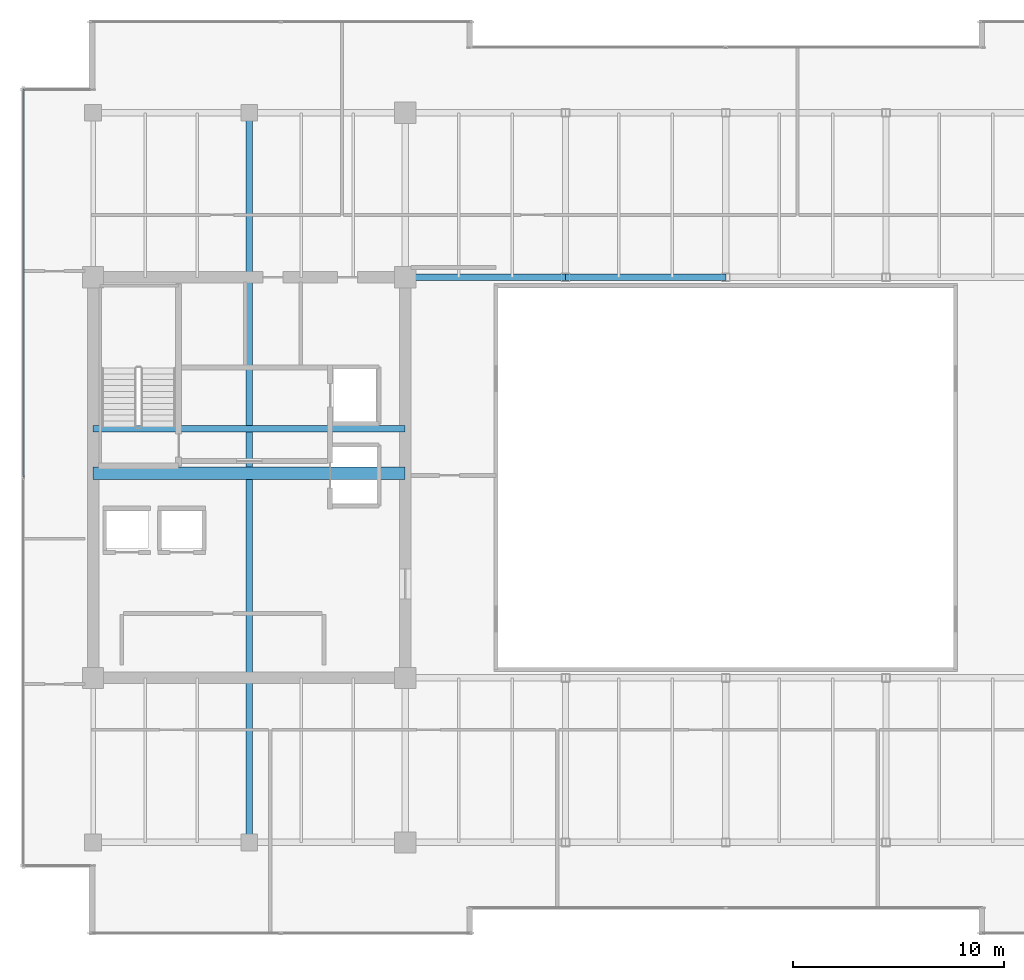
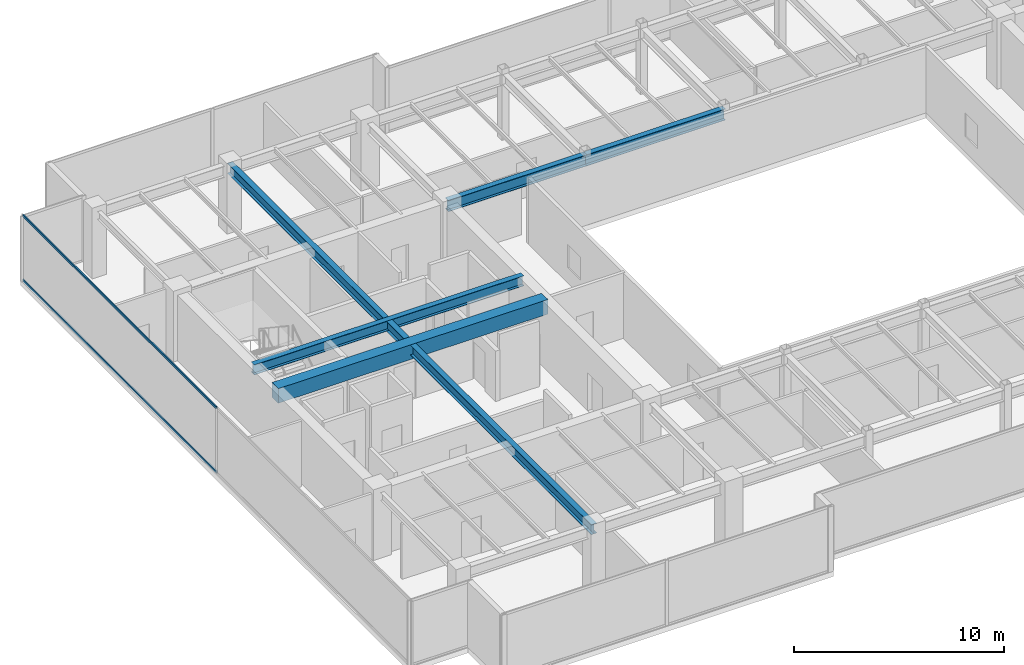
# One storey, part 10 of 33: 5 beams, 2 members, 1 element without a shape of its own.
"""IFC4 building model written with IfcOpenShell, lengths in metres."""

from ifc_helpers import new_model, si_unit, direction, frame, origin, origin_2d, place, context, subcontext, project, spatial, rectangle, hollow_rectangle, i_section, extrude, source, transform, mapped, material, layer, layer_set, material_profile, profile_set, type_object, type_shapes, element, aggregate, save


model = new_model("IFC4")

# Units and contexts
model_context = context("Model", 3, precision=1e-05, world=origin(), true_north=direction((0.0, 1.0)))
body_context = subcontext(model_context, "Body", "Model", "MODEL_VIEW")
ifc_project = project(units=[si_unit("LENGTHUNIT", "METRE"), si_unit("AREAUNIT", "SQUARE_METRE"), si_unit("VOLUMEUNIT", "CUBIC_METRE"), si_unit("PLANEANGLEUNIT", "RADIAN"), si_unit("MASSUNIT", "GRAM", prefix="KILO")], contexts=[model_context])

# Site, building, storey
site_placement = place(None, origin())
site = spatial("IfcSite", under=ifc_project, at=site_placement, CompositionType="ELEMENT")
building_placement = place(site_placement, origin())
building = spatial("IfcBuilding", under=site, at=building_placement, Name="Haelvirn Gate Laboratories", CompositionType="ELEMENT")
storey_placement = place(building_placement, frame((0.0, 0.0, 279.300048828125)))
storey = spatial("IfcBuildingStorey", under=building, at=storey_placement, Name="L67", CompositionType="ELEMENT", Elevation=279.300048828125)

# Beams
ifc_material_1 = material(Name="Steel SM355", Category="steel")
ifc_material_profile_1 = material_profile(ifc_material_1, i_section(OverallWidth=0.300048828125, OverallDepth=0.587890625, WebThickness=0.011962890625, FlangeThickness=0.02001953125, at=origin_2d()), Name="H-588x300x12x20")
ifc_profile_set_1 = profile_set([ifc_material_profile_1], Name="Steel SM355")
beam_type_1 = type_object("IfcBeamType", Name="BM-G-588", PredefinedType="BEAM", material=ifc_profile_set_1)
shared_shape_1 = source(origin(), body_context, "Body", "SweptSolid", [
    extrude(i_section(OverallWidth=0.300048828125, OverallDepth=0.587890625, WebThickness=0.011962890625, FlangeThickness=0.02001953125, at=origin_2d()), origin(), (0.0, 0.0, 1.0), 14.800048828125),
])
beam_1_placement = place(storey_placement, frame((7.39990234375, 26.6201171875, 3.505859375), z_axis=(1.0, 0.0, 0.0), x_axis=(0.0, 1.0, 0.0)))
element("IfcBeam", 1, at=beam_1_placement, inside=storey, type_object=beam_type_1, Name="L67 Stair ST1 Landing Header", PredefinedType="BEAM", context=body_context, shape_type="MappedRepresentation", body=[
    mapped(shared_shape_1, transform((0.0, 0.0, 0.0), scale=1.0)),
])
shared_shape_2 = source(origin(), body_context, "Body", "SweptSolid", [
    extrude(i_section(OverallWidth=0.300048828125, OverallDepth=0.587890625, WebThickness=0.011962890625, FlangeThickness=0.02001953125, at=origin_2d()), origin(), (0.0, 0.0, 1.0), 34.60009765625),
])
type_shapes(beam_type_1, [shared_shape_1, shared_shape_2])
beam_2_placement = place(storey_placement, frame((14.800048828125, 7.0, 3.505859375), z_axis=(0.0, 1.0, 0.0), x_axis=(-1.0, 0.0, 0.0)))
element("IfcBeam", 2, at=beam_2_placement, inside=storey, type_object=beam_type_1, Name="L67 Frame Girder X14.8 (7.0-41.6)", PredefinedType="BEAM", context=body_context, shape_type="MappedRepresentation", body=[
    mapped(shared_shape_2, transform((0.0, 0.0, 0.0), scale=1.0)),
])
ifc_material_2 = material(Name="Concrete C50/60", Category="concrete")
ifc_material_profile_2 = material_profile(ifc_material_2, rectangle(XDim=0.60009765625, YDim=0.85009765625, at=origin_2d()), Name="RCB-600x850")
ifc_profile_set_2 = profile_set([ifc_material_profile_2], Name="Concrete C50/60")
beam_type_2 = type_object("IfcBeamType", Name="BM-RCB-850", PredefinedType="LINTEL", material=ifc_profile_set_2)
shared_shape_3 = source(origin(), body_context, "Body", "SweptSolid", [
    extrude(rectangle(XDim=0.60009765625, YDim=0.85009765625, at=origin_2d()), origin(), (0.0, 0.0, 1.0), 14.800048828125),
])
type_shapes(beam_type_2, [shared_shape_3])
beam_3_placement = place(storey_placement, frame((7.39990234375, 24.5, 3.375), z_axis=(1.0, 0.0, 0.0), x_axis=(0.0, 1.0, 0.0)))
element("IfcBeam", 3, at=beam_3_placement, inside=storey, type_object=beam_type_2, Name="L67 West Core Coupling Beam", PredefinedType="LINTEL", context=body_context, shape_type="MappedRepresentation", body=[
    mapped(shared_shape_3, transform((0.0, 0.0, 0.0), scale=1.0)),
])
ifc_material_profile_3 = material_profile(ifc_material_1, i_section(OverallWidth=0.300048828125, OverallDepth=0.64990234375, WebThickness=0.012939453125, FlangeThickness=0.02197265625, at=origin_2d()), Name="H-650x300x13x22")
ifc_profile_set_3 = profile_set([ifc_material_profile_3], Name="Steel SM355")
beam_type_3 = type_object("IfcBeamType", Name="BM-G-650", PredefinedType="BEAM", material=ifc_profile_set_3)
shared_shape_4 = source(origin(), body_context, "Body", "SweptSolid", [
    extrude(i_section(OverallWidth=0.300048828125, OverallDepth=0.64990234375, WebThickness=0.012939453125, FlangeThickness=0.02197265625, at=origin_2d()), origin(), (0.0, 0.0, 1.0), 7.60009765625),
])
beam_4_placement = place(storey_placement, frame((22.199951171875, 33.800048828125, 3.474853515625), z_axis=(1.0, 0.0, 0.0), x_axis=(0.0, 1.0, 0.0)))
element("IfcBeam", 4, at=beam_4_placement, inside=storey, type_object=beam_type_3, Name="L67 Primary Girder Y33.8 (22.2-29.8)", PredefinedType="BEAM", context=body_context, shape_type="MappedRepresentation", body=[
    mapped(shared_shape_4, transform((0.0, 0.0, 0.0), scale=1.0)),
])
shared_shape_5 = source(origin(), body_context, "Body", "SweptSolid", [
    extrude(i_section(OverallWidth=0.300048828125, OverallDepth=0.64990234375, WebThickness=0.012939453125, FlangeThickness=0.02197265625, at=origin_2d()), origin(), (0.0, 0.0, 1.0), 7.599853515625),
])
type_shapes(beam_type_3, [shared_shape_4, shared_shape_5])
beam_5_placement = place(storey_placement, frame((29.800048828125, 33.800048828125, 3.474853515625), z_axis=(1.0, 0.0, 0.0), x_axis=(0.0, 1.0, 0.0)))
element("IfcBeam", 5, at=beam_5_placement, inside=storey, type_object=beam_type_3, Name="L67 Primary Girder Y33.8 (29.8-37.4)", PredefinedType="BEAM", context=body_context, shape_type="MappedRepresentation", body=[
    mapped(shared_shape_5, transform((0.0, 0.0, 0.0), scale=1.0)),
])

# Curtain wall, members
ifc_material_3 = material(Name="Anodised bronze unitised aluminium & triple low-E glass", Category="aluminium")
ifc_layer = layer(ifc_material_3, 0.176025390625, Name="CW-SYS-4")
ifc_layer_set = layer_set([ifc_layer], Name="Anodised bronze unitised aluminium & triple low-E glass")
curtain_wall_type = type_object("IfcCurtainWallType", Name="CW-SYS-4", PredefinedType="NOTDEFINED", material=ifc_layer_set)
curtain_wall_placement = place(storey_placement, origin())
curtain_wall = element("IfcCurtainWall", 6, at=curtain_wall_placement, inside=storey, type_object=curtain_wall_type, Name="L67 Unitised Curtain Wall CW-L67-P0-E17", PredefinedType="NOTDEFINED")
ifc_material_4 = material(Name="Extruded aluminium 6063-T6 (anodised bronze)", Category="aluminium")
ifc_material_profile_4 = material_profile(ifc_material_4, hollow_rectangle(XDim=0.06494140625, YDim=0.139892578125, WallThickness=0.00390625, at=origin_2d()), Name="CWT-140x65x4")
ifc_profile_set_4 = profile_set([ifc_material_profile_4], Name="Extruded aluminium 6063-T6 (anodised bronze)")
member_type = type_object("IfcMemberType", Name="CWT-T140", PredefinedType="USERDEFINED", material=ifc_profile_set_4)
shared_shape_6 = source(origin(), body_context, "Body", "SweptSolid", [
    extrude(hollow_rectangle(XDim=0.06494140625, YDim=0.139892578125, WallThickness=0.00390625, at=origin_2d()), origin(), (0.0, 0.0, 1.0), 18.39501953125),
])
type_shapes(member_type, [shared_shape_6])
member_1_placement = place(storey_placement, frame((4.10009765625, 42.72998046875, 0.032470703125), z_axis=(0.0, -1.0, 0.0), x_axis=(1.0, 0.0, 0.0)))
member_1 = element("IfcMember", 7, at=member_1_placement, type_object=member_type, Name="CW4 transom 1.1", ObjectType="TRANSOM", PredefinedType="USERDEFINED", context=body_context, shape_type="MappedRepresentation", body=[
    mapped(shared_shape_6, transform((0.0, 0.0, 0.0), scale=1.0)),
])
member_2_placement = place(storey_placement, frame((4.10009765625, 42.72998046875, 3.767333984375), z_axis=(0.0, -1.0, 0.0), x_axis=(1.0, 0.0, 0.0)))
member_2 = element("IfcMember", 8, at=member_2_placement, type_object=member_type, Name="CW4 transom 1.2", ObjectType="TRANSOM", PredefinedType="USERDEFINED", context=body_context, shape_type="MappedRepresentation", body=[
    mapped(shared_shape_6, transform((0.0, 0.0, 0.0), scale=1.0)),
])
aggregate(curtain_wall, [member_1, member_2])

save(model, "model.ifc")
